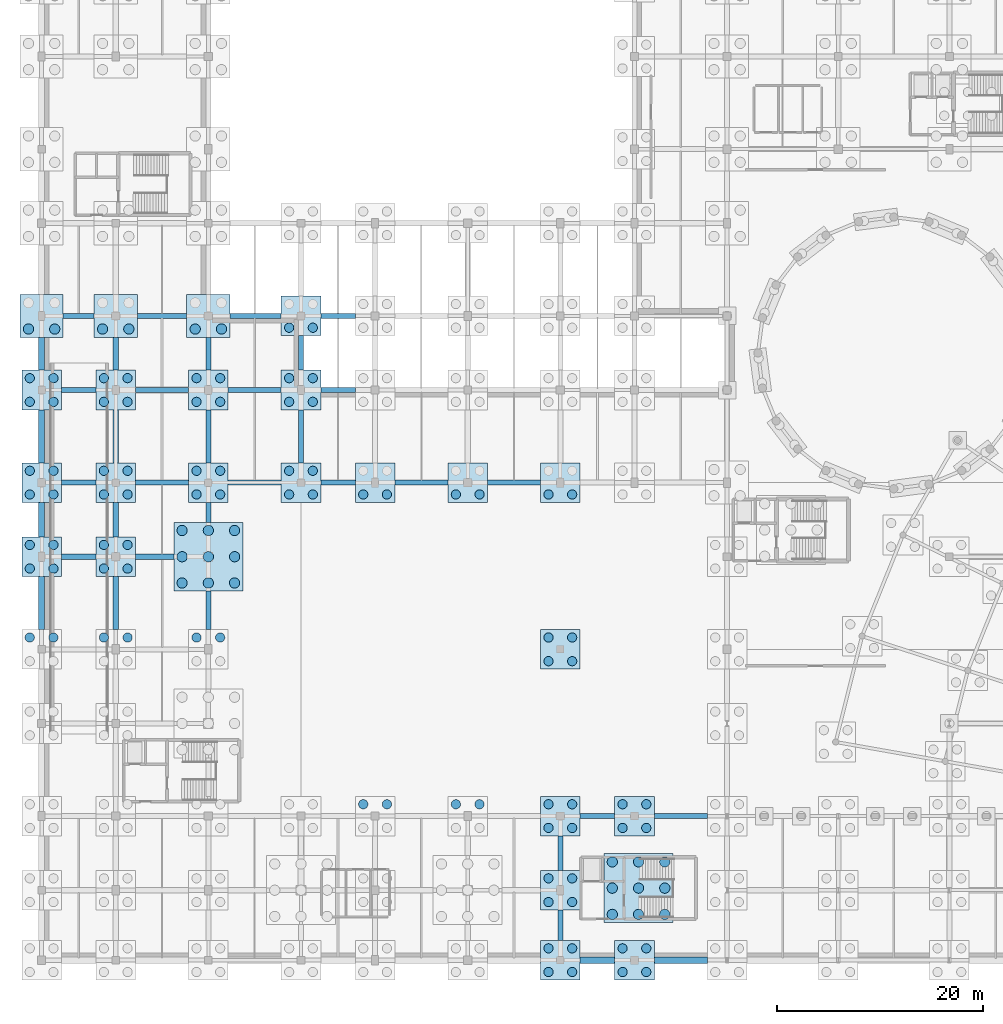
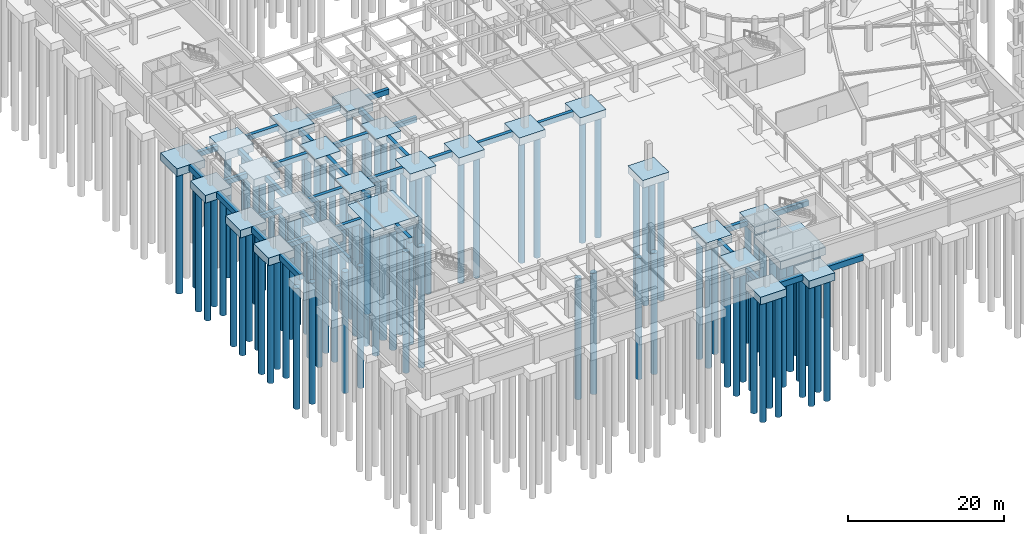
# One storey, part 2 of 42: 106 piles, 61 footings.
"""IFC4 building model written with IfcOpenShell, lengths in metres."""

from ifc_helpers import new_model, si_unit, direction, frame, frame_2d, origin, origin_2d, place, context, subcontext, project, spatial, rectangle, circle, extrude, material, material_profile, profile_set, type_object, element, save


model = new_model("IFC4")

# Units and contexts
model_context = context("Model", 3, precision=1e-05, world=origin(), true_north=direction((0.0, 1.0)))
body_context = subcontext(model_context, "Body", "Model", "MODEL_VIEW")
ifc_project = project(units=[si_unit("LENGTHUNIT", "METRE"), si_unit("AREAUNIT", "SQUARE_METRE"), si_unit("VOLUMEUNIT", "CUBIC_METRE"), si_unit("PLANEANGLEUNIT", "RADIAN"), si_unit("MASSUNIT", "GRAM", prefix="KILO")], contexts=[model_context])

# Site, building, storey
site_placement = place(None, origin())
site = spatial("IfcSite", under=ifc_project, at=site_placement, CompositionType="ELEMENT")
building_placement = place(site_placement, origin())
building = spatial("IfcBuilding", under=site, at=building_placement, Name="Clarverna Civic Hall", CompositionType="ELEMENT")
storey_placement = place(building_placement, frame((0.0, 0.0, -4.199951171875)))
storey = spatial("IfcBuildingStorey", under=building, at=storey_placement, Name="B01", CompositionType="ELEMENT", Elevation=-4.199951171875)

# Footings
ifc_material = material(Name="Concrete C30/37", Category="concrete")
footing_type_1 = type_object("IfcFootingType", Name="FC-02", PredefinedType="PILE_CAP", material=ifc_material)
for number, where, z_axis, x_axis, name in (
    (1, (0.0, 39.199951171875, -1.2001953125), (0.0, 0.0, 1.0), (1.0, 0.0, 0.0), "FC-02-024"),
    (2, (0.0, 46.39990234375, -1.2001953125), (0.0, 0.0, 1.0), (1.0, 0.0, 0.0), "FC-02-025"),
    (3, (0.0, 55.39990234375, -1.2001953125), (0.0, 0.0, 1.0), (1.0, 0.0, 0.0), "FC-02-026"),
    (4, (7.199951171875, 39.199951171875, -1.2001953125), (0.0, 0.0, 1.0), (1.0, 0.0, 0.0), "FC-02-032"),
    (5, (7.199951171875, 46.39990234375, -1.2001953125), (0.0, 0.0, 1.0), (1.0, 0.0, 0.0), "FC-02-033"),
    (6, (7.199951171875, 55.39990234375, -1.2001953125), (0.0, 0.0, 1.0), (1.0, 0.0, 0.0), "FC-02-034"),
    (7, (16.199951171875, 46.39990234375, -1.2001953125), (0.0, 0.0, 1.0), (1.0, 0.0, 0.0), "FC-02-039"),
    (8, (16.199951171875, 55.39990234375, -1.2001953125), (0.0, 0.0, 1.0), (1.0, 0.0, 0.0), "FC-02-040"),
    (9, (25.199951171875, 46.39990234375, -1.2001953125), (0.0, 0.0, 1.0), (1.0, 0.0, 0.0), "FC-02-043"),
    (10, (25.199951171875, 55.39990234375, -1.2001953125), (0.0, 0.0, 1.0), (1.0, 0.0, 0.0), "FC-02-044"),
    (11, (25.199951171875, 62.60009765625, -1.2001953125), (0.0, 0.0, 1.0), (1.0, 0.0, 0.0), "FC-02-045"),
    (12, (32.39990234375, 46.39990234375, -1.2001953125), (0.0, 0.0, 1.0), (1.0, 0.0, 0.0), "FC-02-050"),
    (13, (41.39990234375, 46.39990234375, -1.2001953125), (0.0, 0.0, 1.0), (1.0, 0.0, 0.0), "FC-02-056"),
    (14, (50.39990234375, 0.0, -1.2001953125), (0.0, 0.0, 1.0), (1.0, 0.0, 0.0), "FC-02-060"),
    (15, (50.39990234375, 6.800048828125, -1.2001953125), (0.0, 0.0, 1.0), (1.0, 0.0, 0.0), "FC-02-061"),
    (16, (50.39990234375, 14.0, -1.2001953125), (0.0, 0.0, 1.0), (1.0, 0.0, 0.0), "FC-02-062"),
    (17, (50.39990234375, 30.199951171875, -1.2001953125), (0.0, 0.0, 1.0), (1.0, 0.0, 0.0), "FC-02-063"),
    (18, (50.39990234375, 46.39990234375, -1.2001953125), (0.0, 0.0, 1.0), (1.0, 0.0, 0.0), "FC-02-064"),
    (19, (57.60009765625, 0.0, -1.2001953125), (0.0, 0.0, 1.0), (1.0, 0.0, 0.0), "FC-02-068"),
    (20, (57.60009765625, 14.0, -1.2001953125), (0.0, 0.0, 1.0), (1.0, 0.0, 0.0), "FC-02-069"),
):
    element("IfcFooting", number, at=place(storey_placement, frame(where, z_axis=z_axis, x_axis=x_axis)), inside=storey, type_object=footing_type_1, Name=name, PredefinedType="PILE_CAP", context=body_context, shape_type="SweptSolid", body=[
        extrude(rectangle(XDim=3.85009765625, YDim=3.85009765625, at=origin_2d()), origin(), (0.0, 0.0, 1.0), 1.199951171875),
    ])
footing_type_2 = type_object("IfcFootingType", Name="FC-03", PredefinedType="PILE_CAP", material=ifc_material)
for number, where, z_axis, x_axis, name in (
    (21, (0.0, 62.60009765625, -1.2001953125), (0.0, 0.0, 1.0), (1.0, 0.0, 0.0), "FC-03-001"),
    (22, (7.199951171875, 62.60009765625, -1.2001953125), (0.0, 0.0, 1.0), (1.0, 0.0, 0.0), "FC-03-009"),
    (23, (16.199951171875, 62.60009765625, -1.2001953125), (0.0, 0.0, 1.0), (1.0, 0.0, 0.0), "FC-03-016"),
):
    element("IfcFooting", number, at=place(storey_placement, frame(where, z_axis=z_axis, x_axis=x_axis)), inside=storey, type_object=footing_type_2, Name=name, PredefinedType="PILE_CAP", context=body_context, shape_type="SweptSolid", body=[
        extrude(rectangle(XDim=4.199951171875, YDim=4.199951171875, at=origin_2d()), origin(), (0.0, 0.0, 1.0), 1.199951171875),
    ])
footing_type_3 = type_object("IfcFootingType", Name="FC-05", PredefinedType="PILE_CAP", material=ifc_material)
for number, where, z_axis, x_axis, name in (
    (24, (16.199951171875, 39.199951171875, -1.2001953125), (0.0, 0.0, 1.0), (1.0, 0.0, 0.0), "FC-05-002"),
    (25, (58.0, 7.0, -1.2001953125), (0.0, 0.0, 1.0), (1.0, 0.0, 0.0), "FC-05-008"),
):
    element("IfcFooting", number, at=place(storey_placement, frame(where, z_axis=z_axis, x_axis=x_axis)), inside=storey, type_object=footing_type_3, Name=name, PredefinedType="PILE_CAP", context=body_context, shape_type="SweptSolid", body=[
        extrude(rectangle(XDim=6.699951171875, YDim=6.699951171875, at=origin_2d()), origin(), (0.0, 0.0, 1.0), 1.199951171875),
    ])
footing_type_4 = type_object("IfcFootingType", Name="GB-01", PredefinedType="FOOTING_BEAM", material=ifc_material)
footing_1_placement = place(storey_placement, frame((52.324951171875, 14.0, -0.800048828125), z_axis=(0.0, 0.0, 1.0), x_axis=(1.0, 0.0, 0.0)))
element("IfcFooting", 26, at=footing_1_placement, inside=storey, type_object=footing_type_4, Name="GB-01-025", PredefinedType="FOOTING_BEAM", context=body_context, shape_type="SweptSolid", body=[
    extrude(rectangle(XDim=3.35009765625, YDim=0.5, at=frame_2d((1.675048828125, 0.0))), origin(), (0.0, 0.0, 1.0), 0.800048828125),
])
footing_2_placement = place(storey_placement, frame((59.52490234375, 14.0, -0.800048828125), z_axis=(0.0, 0.0, 1.0), x_axis=(1.0, 0.0, 0.0)))
element("IfcFooting", 27, at=footing_2_placement, inside=storey, type_object=footing_type_4, Name="GB-01-026", PredefinedType="FOOTING_BEAM", context=body_context, shape_type="SweptSolid", body=[
    extrude(rectangle(XDim=5.150146484375, YDim=0.5, at=frame_2d((2.5751953125, 0.0))), origin(), (0.0, 0.0, 1.0), 0.800048828125),
])
footing_3_placement = place(storey_placement, frame((1.925048828125, 39.199951171875, -0.800048828125), z_axis=(0.0, 0.0, 1.0), x_axis=(1.0, 0.0, 0.0)))
element("IfcFooting", 28, at=footing_3_placement, inside=storey, type_object=footing_type_4, Name="GB-01-058", PredefinedType="FOOTING_BEAM", context=body_context, shape_type="SweptSolid", body=[
    extrude(rectangle(XDim=3.349853515625, YDim=0.5, at=frame_2d((1.6748046875, 0.0))), origin(), (0.0, 0.0, 1.0), 0.800048828125),
])
footing_4_placement = place(storey_placement, frame((9.125, 39.199951171875, -0.800048828125), z_axis=(0.0, 0.0, 1.0), x_axis=(1.0, 0.0, 0.0)))
element("IfcFooting", 29, at=footing_4_placement, inside=storey, type_object=footing_type_4, Name="GB-01-059", PredefinedType="FOOTING_BEAM", context=body_context, shape_type="SweptSolid", body=[
    extrude(rectangle(XDim=3.72509765625, YDim=0.5, at=frame_2d((1.862548828125, 0.0))), origin(), (0.0, 0.0, 1.0), 0.800048828125),
])
footing_5_placement = place(storey_placement, frame((1.925048828125, 46.39990234375, -0.800048828125), z_axis=(0.0, 0.0, 1.0), x_axis=(1.0, 0.0, 0.0)))
element("IfcFooting", 30, at=footing_5_placement, inside=storey, type_object=footing_type_4, Name="GB-01-068", PredefinedType="FOOTING_BEAM", context=body_context, shape_type="SweptSolid", body=[
    extrude(rectangle(XDim=3.349853515625, YDim=0.5, at=frame_2d((1.6748046875, 0.0))), origin(), (0.0, 0.0, 1.0), 0.800048828125),
])
for number, where, z_axis, x_axis, name in (
    (31, (9.125, 46.39990234375, -0.800048828125), (0.0, 0.0, 1.0), (1.0, 0.0, 0.0), "GB-01-069"),
    (32, (18.125, 46.39990234375, -0.800048828125), (0.0, 0.0, 1.0), (1.0, 0.0, 0.0), "GB-01-070"),
):
    element("IfcFooting", number, at=place(storey_placement, frame(where, z_axis=z_axis, x_axis=x_axis)), inside=storey, type_object=footing_type_4, Name=name, PredefinedType="FOOTING_BEAM", context=body_context, shape_type="SweptSolid", body=[
        extrude(rectangle(XDim=5.14990234375, YDim=0.5, at=frame_2d((2.574951171875, 0.0))), origin(), (0.0, 0.0, 1.0), 0.800048828125),
    ])
footing_6_placement = place(storey_placement, frame((27.125, 46.39990234375, -0.800048828125), z_axis=(0.0, 0.0, 1.0), x_axis=(1.0, 0.0, 0.0)))
element("IfcFooting", 33, at=footing_6_placement, inside=storey, type_object=footing_type_4, Name="GB-01-071", PredefinedType="FOOTING_BEAM", context=body_context, shape_type="SweptSolid", body=[
    extrude(rectangle(XDim=3.35009765625, YDim=0.5, at=frame_2d((1.675048828125, 0.0))), origin(), (0.0, 0.0, 1.0), 0.800048828125),
])
for number, where, z_axis, x_axis, name in (
    (34, (34.324951171875, 46.39990234375, -0.800048828125), (0.0, 0.0, 1.0), (1.0, 0.0, 0.0), "GB-01-072"),
    (35, (43.324951171875, 46.39990234375, -0.800048828125), (0.0, 0.0, 1.0), (1.0, 0.0, 0.0), "GB-01-073"),
):
    element("IfcFooting", number, at=place(storey_placement, frame(where, z_axis=z_axis, x_axis=x_axis)), inside=storey, type_object=footing_type_4, Name=name, PredefinedType="FOOTING_BEAM", context=body_context, shape_type="SweptSolid", body=[
        extrude(rectangle(XDim=5.150146484375, YDim=0.5, at=frame_2d((2.5751953125, 0.0))), origin(), (0.0, 0.0, 1.0), 0.800048828125),
    ])
footing_7_placement = place(storey_placement, frame((1.925048828125, 55.39990234375, -0.800048828125), z_axis=(0.0, 0.0, 1.0), x_axis=(1.0, 0.0, 0.0)))
element("IfcFooting", 36, at=footing_7_placement, inside=storey, type_object=footing_type_4, Name="GB-01-082", PredefinedType="FOOTING_BEAM", context=body_context, shape_type="SweptSolid", body=[
    extrude(rectangle(XDim=3.349853515625, YDim=0.5, at=frame_2d((1.6748046875, 0.0))), origin(), (0.0, 0.0, 1.0), 0.800048828125),
])
for number, where, z_axis, x_axis, name in (
    (37, (9.125, 55.39990234375, -0.800048828125), (0.0, 0.0, 1.0), (1.0, 0.0, 0.0), "GB-01-083"),
    (38, (18.125, 55.39990234375, -0.800048828125), (0.0, 0.0, 1.0), (1.0, 0.0, 0.0), "GB-01-084"),
):
    element("IfcFooting", number, at=place(storey_placement, frame(where, z_axis=z_axis, x_axis=x_axis)), inside=storey, type_object=footing_type_4, Name=name, PredefinedType="FOOTING_BEAM", context=body_context, shape_type="SweptSolid", body=[
        extrude(rectangle(XDim=5.14990234375, YDim=0.5, at=frame_2d((2.574951171875, 0.0))), origin(), (0.0, 0.0, 1.0), 0.800048828125),
    ])
footing_8_placement = place(storey_placement, frame((27.125, 55.39990234375, -0.800048828125), z_axis=(0.0, 0.0, 1.0), x_axis=(1.0, 0.0, 0.0)))
element("IfcFooting", 39, at=footing_8_placement, inside=storey, type_object=footing_type_4, Name="GB-01-085", PredefinedType="FOOTING_BEAM", context=body_context, shape_type="SweptSolid", body=[
    extrude(rectangle(XDim=3.35009765625, YDim=0.5, at=frame_2d((1.675048828125, 0.0))), origin(), (0.0, 0.0, 1.0), 0.800048828125),
])
footing_9_placement = place(storey_placement, frame((2.10009765625, 62.60009765625, -0.800048828125), z_axis=(0.0, 0.0, 1.0), x_axis=(1.0, 0.0, 0.0)))
element("IfcFooting", 40, at=footing_9_placement, inside=storey, type_object=footing_type_4, Name="GB-01-093", PredefinedType="FOOTING_BEAM", context=body_context, shape_type="SweptSolid", body=[
    extrude(rectangle(XDim=3.0, YDim=0.5, at=frame_2d((1.5, 0.0))), origin(), (0.0, 0.0, 1.0), 0.800048828125),
])
footing_10_placement = place(storey_placement, frame((9.300048828125, 62.60009765625, -0.800048828125), z_axis=(0.0, 0.0, 1.0), x_axis=(1.0, 0.0, 0.0)))
element("IfcFooting", 41, at=footing_10_placement, inside=storey, type_object=footing_type_4, Name="GB-01-094", PredefinedType="FOOTING_BEAM", context=body_context, shape_type="SweptSolid", body=[
    extrude(rectangle(XDim=4.800048828125, YDim=0.5, at=frame_2d((2.39990234375, 0.0))), origin(), (0.0, 0.0, 1.0), 0.800048828125),
])
footing_11_placement = place(storey_placement, frame((18.300048828125, 62.60009765625, -0.800048828125), z_axis=(0.0, 0.0, 1.0), x_axis=(1.0, 0.0, 0.0)))
element("IfcFooting", 42, at=footing_11_placement, inside=storey, type_object=footing_type_4, Name="GB-01-095", PredefinedType="FOOTING_BEAM", context=body_context, shape_type="SweptSolid", body=[
    extrude(rectangle(XDim=4.974853515625, YDim=0.5, at=frame_2d((2.4873046875, 0.0))), origin(), (0.0, 0.0, 1.0), 0.800048828125),
])
footing_12_placement = place(storey_placement, frame((27.125, 62.60009765625, -0.800048828125), z_axis=(0.0, 0.0, 1.0), x_axis=(1.0, 0.0, 0.0)))
element("IfcFooting", 43, at=footing_12_placement, inside=storey, type_object=footing_type_4, Name="GB-01-096", PredefinedType="FOOTING_BEAM", context=body_context, shape_type="SweptSolid", body=[
    extrude(rectangle(XDim=3.35009765625, YDim=0.5, at=frame_2d((1.675048828125, 0.0))), origin(), (0.0, 0.0, 1.0), 0.800048828125),
])
footing_13_placement = place(storey_placement, frame((7.199951171875, 32.125, -0.800048828125), z_axis=(0.0, 0.0, 1.0), x_axis=(0.0, 1.0, 0.0)))
element("IfcFooting", 44, at=footing_13_placement, inside=storey, type_object=footing_type_4, Name="GB-01-176", PredefinedType="FOOTING_BEAM", context=body_context, shape_type="SweptSolid", body=[
    extrude(rectangle(XDim=5.14990234375, YDim=0.5, at=frame_2d((2.574951171875, 0.0))), origin(), (0.0, 0.0, 1.0), 0.800048828125),
])
footing_14_placement = place(storey_placement, frame((7.199951171875, 41.125, -0.800048828125), z_axis=(0.0, 0.0, 1.0), x_axis=(0.0, 1.0, 0.0)))
element("IfcFooting", 45, at=footing_14_placement, inside=storey, type_object=footing_type_4, Name="GB-01-177", PredefinedType="FOOTING_BEAM", context=body_context, shape_type="SweptSolid", body=[
    extrude(rectangle(XDim=3.35009765625, YDim=0.5, at=frame_2d((1.675048828125, 0.0))), origin(), (0.0, 0.0, 1.0), 0.800048828125),
])
footing_15_placement = place(storey_placement, frame((7.199951171875, 48.324951171875, -0.800048828125), z_axis=(0.0, 0.0, 1.0), x_axis=(0.0, 1.0, 0.0)))
element("IfcFooting", 46, at=footing_15_placement, inside=storey, type_object=footing_type_4, Name="GB-01-178", PredefinedType="FOOTING_BEAM", context=body_context, shape_type="SweptSolid", body=[
    extrude(rectangle(XDim=5.150146484375, YDim=0.5, at=frame_2d((2.5751953125, 0.0))), origin(), (0.0, 0.0, 1.0), 0.800048828125),
])
footing_16_placement = place(storey_placement, frame((7.199951171875, 57.324951171875, -0.800048828125), z_axis=(0.0, 0.0, 1.0), x_axis=(0.0, 1.0, 0.0)))
element("IfcFooting", 47, at=footing_16_placement, inside=storey, type_object=footing_type_4, Name="GB-01-179", PredefinedType="FOOTING_BEAM", context=body_context, shape_type="SweptSolid", body=[
    extrude(rectangle(XDim=3.175048828125, YDim=0.5, at=frame_2d((1.58740234375, 0.0))), origin(), (0.0, 0.0, 1.0), 0.800048828125),
])
footing_17_placement = place(storey_placement, frame((16.199951171875, 32.125, -0.800048828125), z_axis=(0.0, 0.0, 1.0), x_axis=(0.0, 1.0, 0.0)))
element("IfcFooting", 48, at=footing_17_placement, inside=storey, type_object=footing_type_4, Name="GB-01-189", PredefinedType="FOOTING_BEAM", context=body_context, shape_type="SweptSolid", body=[
    extrude(rectangle(XDim=3.72509765625, YDim=0.5, at=frame_2d((1.862548828125, 0.0))), origin(), (0.0, 0.0, 1.0), 0.800048828125),
])
footing_18_placement = place(storey_placement, frame((16.199951171875, 42.550048828125, -0.800048828125), z_axis=(0.0, 0.0, 1.0), x_axis=(0.0, 1.0, 0.0)))
element("IfcFooting", 49, at=footing_18_placement, inside=storey, type_object=footing_type_4, Name="GB-01-190", PredefinedType="FOOTING_BEAM", context=body_context, shape_type="SweptSolid", body=[
    extrude(rectangle(XDim=1.925048828125, YDim=0.5, at=frame_2d((0.96240234375, 0.0))), origin(), (0.0, 0.0, 1.0), 0.800048828125),
])
footing_19_placement = place(storey_placement, frame((16.199951171875, 48.324951171875, -0.800048828125), z_axis=(0.0, 0.0, 1.0), x_axis=(0.0, 1.0, 0.0)))
element("IfcFooting", 50, at=footing_19_placement, inside=storey, type_object=footing_type_4, Name="GB-01-191", PredefinedType="FOOTING_BEAM", context=body_context, shape_type="SweptSolid", body=[
    extrude(rectangle(XDim=5.150146484375, YDim=0.5, at=frame_2d((2.5751953125, 0.0))), origin(), (0.0, 0.0, 1.0), 0.800048828125),
])
footing_20_placement = place(storey_placement, frame((16.199951171875, 57.324951171875, -0.800048828125), z_axis=(0.0, 0.0, 1.0), x_axis=(0.0, 1.0, 0.0)))
element("IfcFooting", 51, at=footing_20_placement, inside=storey, type_object=footing_type_4, Name="GB-01-192", PredefinedType="FOOTING_BEAM", context=body_context, shape_type="SweptSolid", body=[
    extrude(rectangle(XDim=3.175048828125, YDim=0.5, at=frame_2d((1.58740234375, 0.0))), origin(), (0.0, 0.0, 1.0), 0.800048828125),
])
footing_21_placement = place(storey_placement, frame((25.199951171875, 48.324951171875, -0.800048828125), z_axis=(0.0, 0.0, 1.0), x_axis=(0.0, 1.0, 0.0)))
element("IfcFooting", 52, at=footing_21_placement, inside=storey, type_object=footing_type_4, Name="GB-01-200", PredefinedType="FOOTING_BEAM", context=body_context, shape_type="SweptSolid", body=[
    extrude(rectangle(XDim=5.150146484375, YDim=0.5, at=frame_2d((2.5751953125, 0.0))), origin(), (0.0, 0.0, 1.0), 0.800048828125),
])
footing_22_placement = place(storey_placement, frame((25.199951171875, 57.324951171875, -0.800048828125), z_axis=(0.0, 0.0, 1.0), x_axis=(0.0, 1.0, 0.0)))
element("IfcFooting", 53, at=footing_22_placement, inside=storey, type_object=footing_type_4, Name="GB-01-201", PredefinedType="FOOTING_BEAM", context=body_context, shape_type="SweptSolid", body=[
    extrude(rectangle(XDim=3.35009765625, YDim=0.5, at=frame_2d((1.675048828125, 0.0))), origin(), (0.0, 0.0, 1.0), 0.800048828125),
])
footing_23_placement = place(storey_placement, frame((50.39990234375, 1.925048828125, -0.800048828125), z_axis=(0.0, 0.0, 1.0), x_axis=(0.0, 1.0, 0.0)))
element("IfcFooting", 54, at=footing_23_placement, inside=storey, type_object=footing_type_4, Name="GB-01-219", PredefinedType="FOOTING_BEAM", context=body_context, shape_type="SweptSolid", body=[
    extrude(rectangle(XDim=2.949951171875, YDim=0.5, at=frame_2d((1.47509765625, 0.0))), origin(), (0.0, 0.0, 1.0), 0.800048828125),
])
footing_24_placement = place(storey_placement, frame((50.39990234375, 8.72509765625, -0.800048828125), z_axis=(0.0, 0.0, 1.0), x_axis=(0.0, 1.0, 0.0)))
element("IfcFooting", 55, at=footing_24_placement, inside=storey, type_object=footing_type_4, Name="GB-01-220", PredefinedType="FOOTING_BEAM", context=body_context, shape_type="SweptSolid", body=[
    extrude(rectangle(XDim=3.349853515625, YDim=0.5, at=frame_2d((1.6748046875, 0.0))), origin(), (0.0, 0.0, 1.0), 0.800048828125),
])
footing_type_5 = type_object("IfcFootingType", Name="GB-02", PredefinedType="FOOTING_BEAM", material=ifc_material)
footing_25_placement = place(storey_placement, frame((52.324951171875, 0.0, -0.900146484375), z_axis=(0.0, 0.0, 1.0), x_axis=(1.0, 0.0, 0.0)))
element("IfcFooting", 56, at=footing_25_placement, inside=storey, type_object=footing_type_5, Name="GB-02-007", PredefinedType="FOOTING_BEAM", context=body_context, shape_type="SweptSolid", body=[
    extrude(rectangle(XDim=3.35009765625, YDim=0.60009765625, at=frame_2d((1.675048828125, 0.0))), origin(), (0.0, 0.0, 1.0), 0.900146484375),
])
footing_26_placement = place(storey_placement, frame((59.52490234375, 0.0, -0.900146484375), z_axis=(0.0, 0.0, 1.0), x_axis=(1.0, 0.0, 0.0)))
element("IfcFooting", 57, at=footing_26_placement, inside=storey, type_object=footing_type_5, Name="GB-02-008", PredefinedType="FOOTING_BEAM", context=body_context, shape_type="SweptSolid", body=[
    extrude(rectangle(XDim=5.150146484375, YDim=0.60009765625, at=frame_2d((2.5751953125, 0.0))), origin(), (0.0, 0.0, 1.0), 0.900146484375),
])
footing_27_placement = place(storey_placement, frame((0.0, 32.125, -0.900146484375), z_axis=(0.0, 0.0, 1.0), x_axis=(0.0, 1.0, 0.0)))
element("IfcFooting", 58, at=footing_27_placement, inside=storey, type_object=footing_type_5, Name="GB-02-039", PredefinedType="FOOTING_BEAM", context=body_context, shape_type="SweptSolid", body=[
    extrude(rectangle(XDim=5.14990234375, YDim=0.60009765625, at=frame_2d((2.574951171875, 0.0))), origin(), (0.0, 0.0, 1.0), 0.900146484375),
])
footing_28_placement = place(storey_placement, frame((0.0, 41.125, -0.900146484375), z_axis=(0.0, 0.0, 1.0), x_axis=(0.0, 1.0, 0.0)))
element("IfcFooting", 59, at=footing_28_placement, inside=storey, type_object=footing_type_5, Name="GB-02-040", PredefinedType="FOOTING_BEAM", context=body_context, shape_type="SweptSolid", body=[
    extrude(rectangle(XDim=3.35009765625, YDim=0.60009765625, at=frame_2d((1.675048828125, 0.0))), origin(), (0.0, 0.0, 1.0), 0.900146484375),
])
footing_29_placement = place(storey_placement, frame((0.0, 48.324951171875, -0.900146484375), z_axis=(0.0, 0.0, 1.0), x_axis=(0.0, 1.0, 0.0)))
element("IfcFooting", 60, at=footing_29_placement, inside=storey, type_object=footing_type_5, Name="GB-02-041", PredefinedType="FOOTING_BEAM", context=body_context, shape_type="SweptSolid", body=[
    extrude(rectangle(XDim=5.150146484375, YDim=0.60009765625, at=frame_2d((2.5751953125, 0.0))), origin(), (0.0, 0.0, 1.0), 0.900146484375),
])
footing_30_placement = place(storey_placement, frame((0.0, 57.324951171875, -0.900146484375), z_axis=(0.0, 0.0, 1.0), x_axis=(0.0, 1.0, 0.0)))
element("IfcFooting", 61, at=footing_30_placement, inside=storey, type_object=footing_type_5, Name="GB-02-042", PredefinedType="FOOTING_BEAM", context=body_context, shape_type="SweptSolid", body=[
    extrude(rectangle(XDim=3.175048828125, YDim=0.60009765625, at=frame_2d((1.58740234375, 0.0))), origin(), (0.0, 0.0, 1.0), 0.900146484375),
])

# Piles
ifc_material_profile_1 = material_profile(ifc_material, circle(Radius=0.449951171875, at=origin_2d()), Name="BORED PILE D900")
ifc_profile_set_1 = profile_set([ifc_material_profile_1], Name="Concrete C30/37")
pile_type_1 = type_object("IfcPileType", Name="PL-01", PredefinedType="BORED", material=ifc_profile_set_1)
for number, where, z_axis, x_axis, name in (
    (62, (-1.14990234375, 31.35009765625, -1.10009765625), (0.0, 0.0, -1.0), (1.0, 0.0, 0.0), "PL-01-136"),
    (63, (1.14990234375, 31.35009765625, -1.10009765625), (0.0, 0.0, -1.0), (1.0, 0.0, 0.0), "PL-01-137"),
    (64, (-1.14990234375, 38.050048828125, -1.10009765625), (0.0, 0.0, -1.0), (1.0, 0.0, 0.0), "PL-01-138"),
    (65, (1.14990234375, 38.050048828125, -1.10009765625), (0.0, 0.0, -1.0), (1.0, 0.0, 0.0), "PL-01-139"),
    (66, (-1.14990234375, 40.35009765625, -1.10009765625), (0.0, 0.0, -1.0), (1.0, 0.0, 0.0), "PL-01-140"),
    (67, (1.14990234375, 40.35009765625, -1.10009765625), (0.0, 0.0, -1.0), (1.0, 0.0, 0.0), "PL-01-141"),
    (68, (-1.14990234375, 45.25, -1.10009765625), (0.0, 0.0, -1.0), (1.0, 0.0, 0.0), "PL-01-142"),
    (69, (1.14990234375, 45.25, -1.10009765625), (0.0, 0.0, -1.0), (1.0, 0.0, 0.0), "PL-01-143"),
    (70, (-1.14990234375, 47.550048828125, -1.10009765625), (0.0, 0.0, -1.0), (1.0, 0.0, 0.0), "PL-01-144"),
    (71, (1.14990234375, 47.550048828125, -1.10009765625), (0.0, 0.0, -1.0), (1.0, 0.0, 0.0), "PL-01-145"),
    (72, (-1.14990234375, 54.25, -1.10009765625), (0.0, 0.0, -1.0), (1.0, 0.0, 0.0), "PL-01-146"),
    (73, (1.14990234375, 54.25, -1.10009765625), (0.0, 0.0, -1.0), (1.0, 0.0, 0.0), "PL-01-147"),
    (74, (-1.14990234375, 56.550048828125, -1.10009765625), (0.0, 0.0, -1.0), (1.0, 0.0, 0.0), "PL-01-148"),
    (75, (1.14990234375, 56.550048828125, -1.10009765625), (0.0, 0.0, -1.0), (1.0, 0.0, 0.0), "PL-01-149"),
    (76, (6.050048828125, 31.35009765625, -1.10009765625), (0.0, 0.0, -1.0), (1.0, 0.0, 0.0), "PL-01-168"),
    (77, (8.35009765625, 31.35009765625, -1.10009765625), (0.0, 0.0, -1.0), (1.0, 0.0, 0.0), "PL-01-169"),
    (78, (6.050048828125, 38.050048828125, -1.10009765625), (0.0, 0.0, -1.0), (1.0, 0.0, 0.0), "PL-01-170"),
    (79, (8.35009765625, 38.050048828125, -1.10009765625), (0.0, 0.0, -1.0), (1.0, 0.0, 0.0), "PL-01-171"),
    (80, (6.050048828125, 40.35009765625, -1.10009765625), (0.0, 0.0, -1.0), (1.0, 0.0, 0.0), "PL-01-172"),
    (81, (8.35009765625, 40.35009765625, -1.10009765625), (0.0, 0.0, -1.0), (1.0, 0.0, 0.0), "PL-01-173"),
    (82, (6.050048828125, 45.25, -1.10009765625), (0.0, 0.0, -1.0), (1.0, 0.0, 0.0), "PL-01-174"),
    (83, (8.35009765625, 45.25, -1.10009765625), (0.0, 0.0, -1.0), (1.0, 0.0, 0.0), "PL-01-175"),
    (84, (6.050048828125, 47.550048828125, -1.10009765625), (0.0, 0.0, -1.0), (1.0, 0.0, 0.0), "PL-01-176"),
    (85, (8.35009765625, 47.550048828125, -1.10009765625), (0.0, 0.0, -1.0), (1.0, 0.0, 0.0), "PL-01-177"),
    (86, (6.050048828125, 54.25, -1.10009765625), (0.0, 0.0, -1.0), (1.0, 0.0, 0.0), "PL-01-178"),
    (87, (8.35009765625, 54.25, -1.10009765625), (0.0, 0.0, -1.0), (1.0, 0.0, 0.0), "PL-01-179"),
    (88, (6.050048828125, 56.550048828125, -1.10009765625), (0.0, 0.0, -1.0), (1.0, 0.0, 0.0), "PL-01-180"),
    (89, (8.35009765625, 56.550048828125, -1.10009765625), (0.0, 0.0, -1.0), (1.0, 0.0, 0.0), "PL-01-181"),
    (90, (15.050048828125, 31.35009765625, -1.10009765625), (0.0, 0.0, -1.0), (1.0, 0.0, 0.0), "PL-01-196"),
    (91, (17.35009765625, 31.35009765625, -1.10009765625), (0.0, 0.0, -1.0), (1.0, 0.0, 0.0), "PL-01-197"),
    (92, (15.050048828125, 45.25, -1.10009765625), (0.0, 0.0, -1.0), (1.0, 0.0, 0.0), "PL-01-198"),
    (93, (17.35009765625, 45.25, -1.10009765625), (0.0, 0.0, -1.0), (1.0, 0.0, 0.0), "PL-01-199"),
    (94, (15.050048828125, 47.550048828125, -1.10009765625), (0.0, 0.0, -1.0), (1.0, 0.0, 0.0), "PL-01-200"),
    (95, (17.35009765625, 47.550048828125, -1.10009765625), (0.0, 0.0, -1.0), (1.0, 0.0, 0.0), "PL-01-201"),
    (96, (15.050048828125, 54.25, -1.10009765625), (0.0, 0.0, -1.0), (1.0, 0.0, 0.0), "PL-01-202"),
    (97, (17.35009765625, 54.25, -1.10009765625), (0.0, 0.0, -1.0), (1.0, 0.0, 0.0), "PL-01-203"),
    (98, (15.050048828125, 56.550048828125, -1.10009765625), (0.0, 0.0, -1.0), (1.0, 0.0, 0.0), "PL-01-204"),
    (99, (17.35009765625, 56.550048828125, -1.10009765625), (0.0, 0.0, -1.0), (1.0, 0.0, 0.0), "PL-01-205"),
    (100, (24.050048828125, 45.25, -1.10009765625), (0.0, 0.0, -1.0), (1.0, 0.0, 0.0), "PL-01-214"),
    (101, (26.35009765625, 45.25, -1.10009765625), (0.0, 0.0, -1.0), (1.0, 0.0, 0.0), "PL-01-215"),
    (102, (24.050048828125, 47.550048828125, -1.10009765625), (0.0, 0.0, -1.0), (1.0, 0.0, 0.0), "PL-01-216"),
    (103, (26.35009765625, 47.550048828125, -1.10009765625), (0.0, 0.0, -1.0), (1.0, 0.0, 0.0), "PL-01-217"),
    (104, (24.050048828125, 54.25, -1.10009765625), (0.0, 0.0, -1.0), (1.0, 0.0, 0.0), "PL-01-218"),
    (105, (26.35009765625, 54.25, -1.10009765625), (0.0, 0.0, -1.0), (1.0, 0.0, 0.0), "PL-01-219"),
    (106, (24.050048828125, 56.550048828125, -1.10009765625), (0.0, 0.0, -1.0), (1.0, 0.0, 0.0), "PL-01-220"),
    (107, (26.35009765625, 56.550048828125, -1.10009765625), (0.0, 0.0, -1.0), (1.0, 0.0, 0.0), "PL-01-221"),
    (108, (24.050048828125, 61.449951171875, -1.10009765625), (0.0, 0.0, -1.0), (1.0, 0.0, 0.0), "PL-01-222"),
    (109, (26.35009765625, 61.449951171875, -1.10009765625), (0.0, 0.0, -1.0), (1.0, 0.0, 0.0), "PL-01-223"),
    (110, (31.25, 15.14990234375, -1.10009765625), (0.0, 0.0, -1.0), (1.0, 0.0, 0.0), "PL-01-240"),
    (111, (33.550048828125, 15.14990234375, -1.10009765625), (0.0, 0.0, -1.0), (1.0, 0.0, 0.0), "PL-01-241"),
    (112, (31.25, 45.25, -1.10009765625), (0.0, 0.0, -1.0), (1.0, 0.0, 0.0), "PL-01-242"),
    (113, (33.550048828125, 45.25, -1.10009765625), (0.0, 0.0, -1.0), (1.0, 0.0, 0.0), "PL-01-243"),
    (114, (40.25, 15.14990234375, -1.10009765625), (0.0, 0.0, -1.0), (1.0, 0.0, 0.0), "PL-01-264"),
    (115, (42.550048828125, 15.14990234375, -1.10009765625), (0.0, 0.0, -1.0), (1.0, 0.0, 0.0), "PL-01-265"),
    (116, (40.25, 45.25, -1.10009765625), (0.0, 0.0, -1.0), (1.0, 0.0, 0.0), "PL-01-266"),
    (117, (42.550048828125, 45.25, -1.10009765625), (0.0, 0.0, -1.0), (1.0, 0.0, 0.0), "PL-01-267"),
    (118, (49.25, -1.14990234375, -1.10009765625), (0.0, 0.0, -1.0), (1.0, 0.0, 0.0), "PL-01-282"),
    (119, (51.550048828125, -1.14990234375, -1.10009765625), (0.0, 0.0, -1.0), (1.0, 0.0, 0.0), "PL-01-283"),
    (120, (49.25, 1.14990234375, -1.10009765625), (0.0, 0.0, -1.0), (1.0, 0.0, 0.0), "PL-01-284"),
    (121, (51.550048828125, 1.14990234375, -1.10009765625), (0.0, 0.0, -1.0), (1.0, 0.0, 0.0), "PL-01-285"),
    (122, (49.25, 5.64990234375, -1.10009765625), (0.0, 0.0, -1.0), (1.0, 0.0, 0.0), "PL-01-286"),
    (123, (51.550048828125, 5.64990234375, -1.10009765625), (0.0, 0.0, -1.0), (1.0, 0.0, 0.0), "PL-01-287"),
    (124, (49.25, 7.949951171875, -1.10009765625), (0.0, 0.0, -1.0), (1.0, 0.0, 0.0), "PL-01-288"),
    (125, (51.550048828125, 7.949951171875, -1.10009765625), (0.0, 0.0, -1.0), (1.0, 0.0, 0.0), "PL-01-289"),
    (126, (49.25, 12.85009765625, -1.10009765625), (0.0, 0.0, -1.0), (1.0, 0.0, 0.0), "PL-01-290"),
    (127, (51.550048828125, 12.85009765625, -1.10009765625), (0.0, 0.0, -1.0), (1.0, 0.0, 0.0), "PL-01-291"),
    (128, (49.25, 15.14990234375, -1.10009765625), (0.0, 0.0, -1.0), (1.0, 0.0, 0.0), "PL-01-292"),
    (129, (51.550048828125, 15.14990234375, -1.10009765625), (0.0, 0.0, -1.0), (1.0, 0.0, 0.0), "PL-01-293"),
    (130, (49.25, 29.050048828125, -1.10009765625), (0.0, 0.0, -1.0), (1.0, 0.0, 0.0), "PL-01-294"),
    (131, (51.550048828125, 29.050048828125, -1.10009765625), (0.0, 0.0, -1.0), (1.0, 0.0, 0.0), "PL-01-295"),
    (132, (49.25, 31.35009765625, -1.10009765625), (0.0, 0.0, -1.0), (1.0, 0.0, 0.0), "PL-01-296"),
    (133, (51.550048828125, 31.35009765625, -1.10009765625), (0.0, 0.0, -1.0), (1.0, 0.0, 0.0), "PL-01-297"),
    (134, (49.25, 45.25, -1.10009765625), (0.0, 0.0, -1.0), (1.0, 0.0, 0.0), "PL-01-298"),
    (135, (51.550048828125, 45.25, -1.10009765625), (0.0, 0.0, -1.0), (1.0, 0.0, 0.0), "PL-01-299"),
    (136, (56.449951171875, -1.14990234375, -1.10009765625), (0.0, 0.0, -1.0), (1.0, 0.0, 0.0), "PL-01-314"),
    (137, (58.75, -1.14990234375, -1.10009765625), (0.0, 0.0, -1.0), (1.0, 0.0, 0.0), "PL-01-315"),
    (138, (56.449951171875, 1.14990234375, -1.10009765625), (0.0, 0.0, -1.0), (1.0, 0.0, 0.0), "PL-01-316"),
    (139, (58.75, 1.14990234375, -1.10009765625), (0.0, 0.0, -1.0), (1.0, 0.0, 0.0), "PL-01-317"),
    (140, (56.449951171875, 12.85009765625, -1.10009765625), (0.0, 0.0, -1.0), (1.0, 0.0, 0.0), "PL-01-318"),
    (141, (58.75, 12.85009765625, -1.10009765625), (0.0, 0.0, -1.0), (1.0, 0.0, 0.0), "PL-01-319"),
    (142, (56.449951171875, 15.14990234375, -1.10009765625), (0.0, 0.0, -1.0), (1.0, 0.0, 0.0), "PL-01-320"),
    (143, (58.75, 15.14990234375, -1.10009765625), (0.0, 0.0, -1.0), (1.0, 0.0, 0.0), "PL-01-321"),
):
    element("IfcPile", number, at=place(storey_placement, frame(where, z_axis=z_axis, x_axis=x_axis)), inside=storey, type_object=pile_type_1, Name=name, PredefinedType="BORED", context=body_context, shape_type="SweptSolid", body=[
        extrude(circle(Radius=0.449951171875, at=origin_2d()), origin(), (0.0, 0.0, 1.0), 19.0),
    ])
ifc_material_profile_2 = material_profile(ifc_material, circle(Radius=0.5, at=origin_2d()), Name="BORED PILE D1000")
ifc_profile_set_2 = profile_set([ifc_material_profile_2], Name="Concrete C30/37")
pile_type_2 = type_object("IfcPileType", Name="PL-02", PredefinedType="BORED", material=ifc_profile_set_2)
for number, where, z_axis, x_axis, name in (
    (144, (-1.27490234375, 61.324951171875, -1.10009765625), (0.0, 0.0, -1.0), (1.0, 0.0, 0.0), "PL-02-001"),
    (145, (1.27490234375, 61.324951171875, -1.10009765625), (0.0, 0.0, -1.0), (1.0, 0.0, 0.0), "PL-02-002"),
    (146, (5.925048828125, 61.324951171875, -1.10009765625), (0.0, 0.0, -1.0), (1.0, 0.0, 0.0), "PL-02-033"),
    (147, (8.47509765625, 61.324951171875, -1.10009765625), (0.0, 0.0, -1.0), (1.0, 0.0, 0.0), "PL-02-034"),
    (148, (13.64990234375, 36.64990234375, -1.10009765625), (0.0, 0.0, -1.0), (1.0, 0.0, 0.0), "PL-02-070"),
    (149, (13.64990234375, 39.199951171875, -1.10009765625), (0.0, 0.0, -1.0), (1.0, 0.0, 0.0), "PL-02-071"),
    (150, (13.64990234375, 41.75, -1.10009765625), (0.0, 0.0, -1.0), (1.0, 0.0, 0.0), "PL-02-072"),
    (151, (16.199951171875, 36.64990234375, -1.10009765625), (0.0, 0.0, -1.0), (1.0, 0.0, 0.0), "PL-02-073"),
    (152, (16.199951171875, 39.199951171875, -1.10009765625), (0.0, 0.0, -1.0), (1.0, 0.0, 0.0), "PL-02-074"),
    (153, (16.199951171875, 41.75, -1.10009765625), (0.0, 0.0, -1.0), (1.0, 0.0, 0.0), "PL-02-075"),
    (154, (18.75, 36.64990234375, -1.10009765625), (0.0, 0.0, -1.0), (1.0, 0.0, 0.0), "PL-02-076"),
    (155, (18.75, 39.199951171875, -1.10009765625), (0.0, 0.0, -1.0), (1.0, 0.0, 0.0), "PL-02-077"),
    (156, (18.75, 41.75, -1.10009765625), (0.0, 0.0, -1.0), (1.0, 0.0, 0.0), "PL-02-078"),
    (157, (14.925048828125, 61.324951171875, -1.10009765625), (0.0, 0.0, -1.0), (1.0, 0.0, 0.0), "PL-02-079"),
    (158, (17.47509765625, 61.324951171875, -1.10009765625), (0.0, 0.0, -1.0), (1.0, 0.0, 0.0), "PL-02-080"),
    (159, (55.449951171875, 4.449951171875, -1.10009765625), (0.0, 0.0, -1.0), (1.0, 0.0, 0.0), "PL-02-344"),
    (160, (55.449951171875, 7.0, -1.10009765625), (0.0, 0.0, -1.0), (1.0, 0.0, 0.0), "PL-02-345"),
    (161, (55.449951171875, 9.550048828125, -1.10009765625), (0.0, 0.0, -1.0), (1.0, 0.0, 0.0), "PL-02-346"),
    (162, (58.0, 4.449951171875, -1.10009765625), (0.0, 0.0, -1.0), (1.0, 0.0, 0.0), "PL-02-347"),
    (163, (58.0, 7.0, -1.10009765625), (0.0, 0.0, -1.0), (1.0, 0.0, 0.0), "PL-02-348"),
    (164, (58.0, 9.550048828125, -1.10009765625), (0.0, 0.0, -1.0), (1.0, 0.0, 0.0), "PL-02-349"),
    (165, (60.550048828125, 4.449951171875, -1.10009765625), (0.0, 0.0, -1.0), (1.0, 0.0, 0.0), "PL-02-350"),
    (166, (60.550048828125, 7.0, -1.10009765625), (0.0, 0.0, -1.0), (1.0, 0.0, 0.0), "PL-02-351"),
    (167, (60.550048828125, 9.550048828125, -1.10009765625), (0.0, 0.0, -1.0), (1.0, 0.0, 0.0), "PL-02-352"),
):
    element("IfcPile", number, at=place(storey_placement, frame(where, z_axis=z_axis, x_axis=x_axis)), inside=storey, type_object=pile_type_2, Name=name, PredefinedType="BORED", context=body_context, shape_type="SweptSolid", body=[
        extrude(circle(Radius=0.5, at=origin_2d()), origin(), (0.0, 0.0, 1.0), 19.0),
    ])

save(model, "model.ifc")
